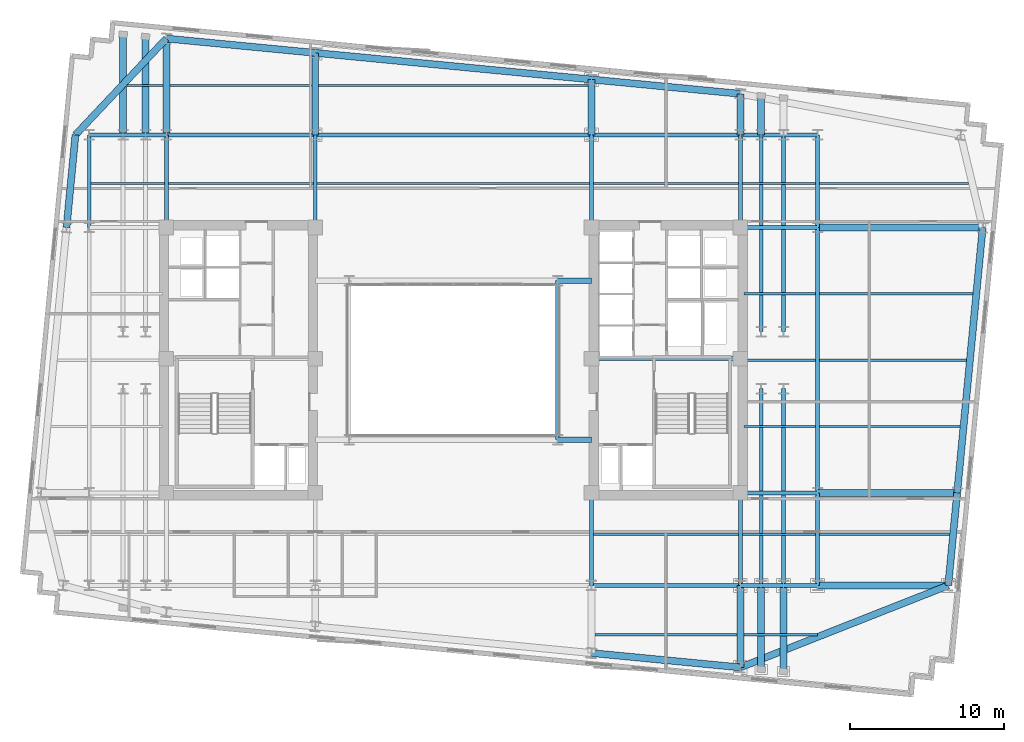
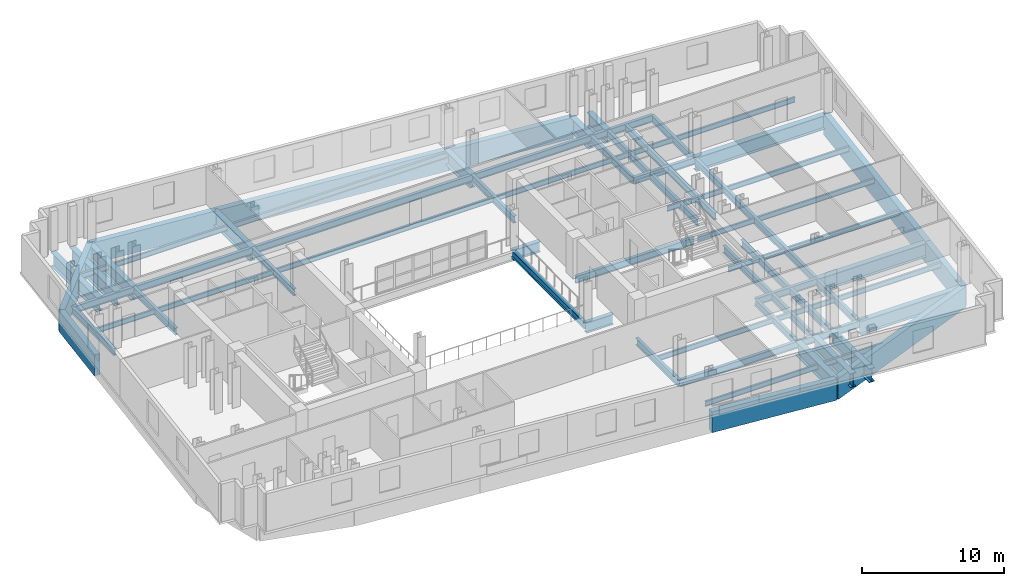
# One storey, part 3 of 11: 69 beams.
"""IFC4 building model written with IfcOpenShell, lengths in metres."""

from ifc_helpers import new_model, si_unit, direction, frame, origin, origin_2d, place, context, subcontext, project, spatial, rectangle, i_section, extrude, material, material_profile, profile_set, type_object, element, save


model = new_model("IFC4")

# Units and contexts
model_context = context("Model", 3, precision=1e-05, world=origin(), true_north=direction((0.0, 1.0)))
body_context = subcontext(model_context, "Body", "Model", "MODEL_VIEW")
ifc_project = project(units=[si_unit("LENGTHUNIT", "METRE"), si_unit("AREAUNIT", "SQUARE_METRE"), si_unit("VOLUMEUNIT", "CUBIC_METRE"), si_unit("PLANEANGLEUNIT", "RADIAN"), si_unit("MASSUNIT", "GRAM", prefix="KILO")], contexts=[model_context])

# Site, building, storey
site_placement = place(None, origin())
site = spatial("IfcSite", under=ifc_project, at=site_placement, CompositionType="ELEMENT")
building_placement = place(site_placement, origin())
building = spatial("IfcBuilding", under=site, at=building_placement, Name="Velakula Bourse", CompositionType="ELEMENT")
storey_placement = place(building_placement, frame((0.0, 0.0, 160.39990234375)))
storey = spatial("IfcBuildingStorey", under=building, at=storey_placement, Name="L43", CompositionType="ELEMENT", Elevation=160.39990234375)

# Beams
ifc_material_1 = material(Name="Steel IS 2062 Grade 350 (E350)", Category="steel")
ifc_material_profile_1 = material_profile(ifc_material_1, i_section(OverallWidth=0.25, OverallDepth=0.60009765625, WebThickness=0.01123046875, FlangeThickness=0.021240234375, at=origin_2d()), Name="Steel IS 2062 Grade 350 (E350)")
ifc_profile_set_1 = profile_set([ifc_material_profile_1], Name="Steel IS 2062 Grade 350 (E350)")
beam_type_1 = type_object("IfcBeamType", Name="BM-GRD-600M", PredefinedType="BEAM", material=ifc_profile_set_1)
beam_1_placement = place(storey_placement, frame((8.949951171875, 0.10009765625, -0.47998046875), z_axis=(1.0, 0.0, 0.0), x_axis=(0.0, 1.0, 0.0)))
element("IfcBeam", 1, at=beam_1_placement, inside=storey, type_object=beam_type_1, Name="L43 Primary Backbone Girder CRE-M", PredefinedType="BEAM", context=body_context, shape_type="SweptSolid", body=[
    extrude(i_section(OverallWidth=0.25, OverallDepth=0.60009765625, WebThickness=0.01123046875, FlangeThickness=0.021240234375, at=origin_2d()), origin(), (0.0, 0.0, 1.0), 9.650146484375),
])
beam_2_placement = place(storey_placement, frame((6.75, -5.14990234375, -0.47998046875), z_axis=(0.0, 1.0, 0.0), x_axis=(-1.0, 0.0, 0.0)))
element("IfcBeam", 2, at=beam_2_placement, inside=storey, type_object=beam_type_1, Name="L43 Primary Backbone Girder SPN-E", PredefinedType="BEAM", context=body_context, shape_type="SweptSolid", body=[
    extrude(i_section(OverallWidth=0.25, OverallDepth=0.60009765625, WebThickness=0.01123046875, FlangeThickness=0.021240234375, at=origin_2d()), origin(), (0.0, 0.0, 1.0), 10.2998046875),
])
for number, where, z_axis, x_axis, name in (
    (3, (-18.60009765625, 8.60009765625, -0.47998046875), (0.0, 1.0, 0.0), (-1.0, 0.0, 0.0), "L43 Fulcrum Grid Girder FLC-WN"),
    (4, (-8.949951171875, 8.60009765625, -0.47998046875), (0.0, 1.0, 0.0), (-1.0, 0.0, 0.0), "L43 Fulcrum Grid Girder FLC-WCN"),
    (5, (8.949951171875, -14.60009765625, -0.47998046875), (0.0, 1.0, 0.0), (-1.0, 0.0, 0.0), "L43 Fulcrum Grid Girder FLC-ECS"),
    (6, (8.949951171875, 8.60009765625, -0.47998046875), (0.0, 1.0, 0.0), (-1.0, 0.0, 0.0), "L43 Fulcrum Grid Girder FLC-ECN"),
    (7, (18.60009765625, -14.60009765625, -0.47998046875), (0.0, 1.0, 0.0), (-1.0, 0.0, 0.0), "L43 Fulcrum Grid Girder FLC-ES"),
    (8, (18.60009765625, 8.60009765625, -0.47998046875), (0.0, 1.0, 0.0), (-1.0, 0.0, 0.0), "L43 Fulcrum Grid Girder FLC-EN"),
):
    element("IfcBeam", number, at=place(storey_placement, frame(where, z_axis=z_axis, x_axis=x_axis)), inside=storey, type_object=beam_type_1, Name=name, PredefinedType="BEAM", context=body_context, shape_type="SweptSolid", body=[
        extrude(i_section(OverallWidth=0.25, OverallDepth=0.60009765625, WebThickness=0.01123046875, FlangeThickness=0.021240234375, at=origin_2d()), origin(), (0.0, 0.0, 1.0), 6.0),
    ])
for number, where, z_axis, x_axis, name in (
    (9, (8.949951171875, -14.60009765625, -0.47998046875), (1.0, 0.0, 0.0), (0.0, 1.0, 0.0), "L43 Fulcrum Grid Girder FLC-S3"),
    (10, (-18.60009765625, 14.60009765625, -0.47998046875), (1.0, 0.0, 0.0), (0.0, 1.0, 0.0), "L43 Fulcrum Grid Girder FLC-N1"),
):
    element("IfcBeam", number, at=place(storey_placement, frame(where, z_axis=z_axis, x_axis=x_axis)), inside=storey, type_object=beam_type_1, Name=name, PredefinedType="BEAM", context=body_context, shape_type="SweptSolid", body=[
        extrude(i_section(OverallWidth=0.25, OverallDepth=0.60009765625, WebThickness=0.01123046875, FlangeThickness=0.021240234375, at=origin_2d()), origin(), (0.0, 0.0, 1.0), 9.650146484375),
    ])
beam_3_placement = place(storey_placement, frame((-8.949951171875, 14.60009765625, -0.47998046875), z_axis=(1.0, 0.0, 0.0), x_axis=(0.0, 1.0, 0.0)))
element("IfcBeam", 11, at=beam_3_placement, inside=storey, type_object=beam_type_1, Name="L43 Fulcrum Grid Girder FLC-N2", PredefinedType="BEAM", context=body_context, shape_type="SweptSolid", body=[
    extrude(i_section(OverallWidth=0.25, OverallDepth=0.60009765625, WebThickness=0.01123046875, FlangeThickness=0.021240234375, at=origin_2d()), origin(), (0.0, 0.0, 1.0), 17.89990234375),
])
beam_4_placement = place(storey_placement, frame((8.949951171875, 14.60009765625, -0.47998046875), z_axis=(1.0, 0.0, 0.0), x_axis=(0.0, 1.0, 0.0)))
element("IfcBeam", 12, at=beam_4_placement, inside=storey, type_object=beam_type_1, Name="L43 Fulcrum Grid Girder FLC-N3", PredefinedType="BEAM", context=body_context, shape_type="SweptSolid", body=[
    extrude(i_section(OverallWidth=0.25, OverallDepth=0.60009765625, WebThickness=0.01123046875, FlangeThickness=0.021240234375, at=origin_2d()), origin(), (0.0, 0.0, 1.0), 9.650146484375),
])
for number, where, z_axis, x_axis, name in (
    (13, (19.949951171875, -14.60009765625, -0.47998046875), (0.0, 1.0, 0.0), (-1.0, 0.0, 0.0), "L43 Fulcrum Grid Girder FLC-PSE1"),
    (14, (19.949951171875, 1.85009765625, -0.47998046875), (0.0, 1.0, 0.0), (-1.0, 0.0, 0.0), "L43 Fulcrum Grid Girder FLC-PNE1"),
    (15, (21.39990234375, -14.60009765625, -0.47998046875), (0.0, 1.0, 0.0), (-1.0, 0.0, 0.0), "L43 Fulcrum Grid Girder FLC-PSE2"),
    (16, (21.39990234375, 1.85009765625, -0.47998046875), (0.0, 1.0, 0.0), (-1.0, 0.0, 0.0), "L43 Fulcrum Grid Girder FLC-PNE2"),
):
    element("IfcBeam", number, at=place(storey_placement, frame(where, z_axis=z_axis, x_axis=x_axis)), inside=storey, type_object=beam_type_1, Name=name, PredefinedType="BEAM", context=body_context, shape_type="SweptSolid", body=[
        extrude(i_section(OverallWidth=0.25, OverallDepth=0.60009765625, WebThickness=0.01123046875, FlangeThickness=0.021240234375, at=origin_2d()), origin(), (0.0, 0.0, 1.0), 12.75),
    ])
beam_5_placement = place(storey_placement, frame((-23.60009765625, 14.60009765625, -0.47998046875), z_axis=(1.0, 0.0, 0.0), x_axis=(0.0, 1.0, 0.0)))
element("IfcBeam", 17, at=beam_5_placement, inside=storey, type_object=beam_type_1, Name="L43 Fulcrum Grid Girder MWG-WN2", PredefinedType="BEAM", context=body_context, shape_type="SweptSolid", body=[
    extrude(i_section(OverallWidth=0.25, OverallDepth=0.60009765625, WebThickness=0.01123046875, FlangeThickness=0.021240234375, at=origin_2d()), origin(), (0.0, 0.0, 1.0), 5.0),
])
beam_6_placement = place(storey_placement, frame((-23.60009765625, 8.60009765625, -0.47998046875), z_axis=(0.0, 1.0, 0.0), x_axis=(-1.0, 0.0, 0.0)))
element("IfcBeam", 18, at=beam_6_placement, inside=storey, type_object=beam_type_1, Name="L43 Fulcrum Grid Girder MWG-WNS3", PredefinedType="BEAM", context=body_context, shape_type="SweptSolid", body=[
    extrude(i_section(OverallWidth=0.25, OverallDepth=0.60009765625, WebThickness=0.01123046875, FlangeThickness=0.021240234375, at=origin_2d()), origin(), (0.0, 0.0, 1.0), 6.0),
])
for number, where, z_axis, x_axis, name in (
    (19, (18.60009765625, -14.60009765625, -0.47998046875), (1.0, 0.0, 0.0), (0.0, 1.0, 0.0), "L43 Fulcrum Grid Girder MWG-ES1"),
    (20, (18.60009765625, -8.60009765625, -0.47998046875), (1.0, 0.0, 0.0), (0.0, 1.0, 0.0), "L43 Fulcrum Grid Girder MWG-ES2"),
    (21, (18.60009765625, 8.60009765625, -0.47998046875), (1.0, 0.0, 0.0), (0.0, 1.0, 0.0), "L43 Fulcrum Grid Girder MWG-EN1"),
    (22, (18.60009765625, 14.60009765625, -0.47998046875), (1.0, 0.0, 0.0), (0.0, 1.0, 0.0), "L43 Fulcrum Grid Girder MWG-EN2"),
):
    element("IfcBeam", number, at=place(storey_placement, frame(where, z_axis=z_axis, x_axis=x_axis)), inside=storey, type_object=beam_type_1, Name=name, PredefinedType="BEAM", context=body_context, shape_type="SweptSolid", body=[
        extrude(i_section(OverallWidth=0.25, OverallDepth=0.60009765625, WebThickness=0.01123046875, FlangeThickness=0.021240234375, at=origin_2d()), origin(), (0.0, 0.0, 1.0), 5.0),
    ])
beam_7_placement = place(storey_placement, frame((23.60009765625, -14.60009765625, -0.47998046875), z_axis=(0.0, 1.0, 0.0), x_axis=(-1.0, 0.0, 0.0)))
element("IfcBeam", 23, at=beam_7_placement, inside=storey, type_object=beam_type_1, Name="L43 Fulcrum Grid Girder MWG-ENS1", PredefinedType="BEAM", context=body_context, shape_type="SweptSolid", body=[
    extrude(i_section(OverallWidth=0.25, OverallDepth=0.60009765625, WebThickness=0.01123046875, FlangeThickness=0.021240234375, at=origin_2d()), origin(), (0.0, 0.0, 1.0), 6.0),
])
beam_8_placement = place(storey_placement, frame((23.60009765625, -8.60009765625, -0.47998046875), z_axis=(0.0, 1.0, 0.0), x_axis=(-1.0, 0.0, 0.0)))
element("IfcBeam", 24, at=beam_8_placement, inside=storey, type_object=beam_type_1, Name="L43 Fulcrum Grid Girder MWG-ENS2", PredefinedType="BEAM", context=body_context, shape_type="SweptSolid", body=[
    extrude(i_section(OverallWidth=0.25, OverallDepth=0.60009765625, WebThickness=0.01123046875, FlangeThickness=0.021240234375, at=origin_2d()), origin(), (0.0, 0.0, 1.0), 17.2001953125),
])
beam_9_placement = place(storey_placement, frame((23.60009765625, 8.60009765625, -0.47998046875), z_axis=(0.0, 1.0, 0.0), x_axis=(-1.0, 0.0, 0.0)))
element("IfcBeam", 25, at=beam_9_placement, inside=storey, type_object=beam_type_1, Name="L43 Fulcrum Grid Girder MWG-ENS3", PredefinedType="BEAM", context=body_context, shape_type="SweptSolid", body=[
    extrude(i_section(OverallWidth=0.25, OverallDepth=0.60009765625, WebThickness=0.01123046875, FlangeThickness=0.021240234375, at=origin_2d()), origin(), (0.0, 0.0, 1.0), 6.0),
])
ifc_material_profile_2 = material_profile(ifc_material_1, i_section(OverallWidth=0.35009765625, OverallDepth=0.89990234375, WebThickness=0.02001953125, FlangeThickness=0.031982421875, at=origin_2d()), Name="Steel IS 2062 Grade 350 (E350)")
ifc_profile_set_2 = profile_set([ifc_material_profile_2], Name="Steel IS 2062 Grade 350 (E350)")
beam_type_2 = type_object("IfcBeamType", Name="BM-LNK-900", PredefinedType="BEAM", material=ifc_profile_set_2)
for number, where, z_axis, x_axis, name in (
    (26, (6.75, -5.14990234375, -0.6298828125), (1.0, 0.0, 0.0), (0.0, 1.0, 0.0), "L43 Primary Backbone Girder LNK-S3"),
    (27, (6.75, 5.14990234375, -0.6298828125), (1.0, 0.0, 0.0), (0.0, 1.0, 0.0), "L43 Primary Backbone Girder LNK-N3"),
):
    element("IfcBeam", number, at=place(storey_placement, frame(where, z_axis=z_axis, x_axis=x_axis)), inside=storey, type_object=beam_type_2, Name=name, PredefinedType="BEAM", context=body_context, shape_type="SweptSolid", body=[
        extrude(i_section(OverallWidth=0.35009765625, OverallDepth=0.89990234375, WebThickness=0.02001953125, FlangeThickness=0.031982421875, at=origin_2d()), origin(), (0.0, 0.0, 1.0), 2.199951171875),
    ])
ifc_material_profile_3 = material_profile(ifc_material_1, i_section(OverallWidth=0.14990234375, OverallDepth=0.449951171875, WebThickness=0.009521484375, FlangeThickness=0.017333984375, at=origin_2d()), Name="Steel IS 2062 Grade 350 (E350)")
ifc_profile_set_3 = profile_set([ifc_material_profile_3], Name="Steel IS 2062 Grade 350 (E350)")
beam_type_3 = type_object("IfcBeamType", Name="JST-TWR-450", PredefinedType="JOIST", material=ifc_profile_set_3)
beam_10_placement = place(storey_placement, frame((9.175048828125, -17.800048828125, -0.40478515625), z_axis=(1.0, 0.0, 0.0), x_axis=(0.0, 1.0, 0.0)))
element("IfcBeam", 28, at=beam_10_placement, inside=storey, type_object=beam_type_3, Name="L43 Trading Floor Composite Joist 02", PredefinedType="JOIST", context=body_context, shape_type="SweptSolid", body=[
    extrude(i_section(OverallWidth=0.14990234375, OverallDepth=0.449951171875, WebThickness=0.009521484375, FlangeThickness=0.017333984375, at=origin_2d()), origin(), (0.0, 0.0, 1.0), 9.199951171875),
])
beam_11_placement = place(storey_placement, frame((18.824951171875, -17.800048828125, -0.40478515625), z_axis=(1.0, 0.0, 0.0), x_axis=(0.0, 1.0, 0.0)))
element("IfcBeam", 29, at=beam_11_placement, inside=storey, type_object=beam_type_3, Name="L43 Trading Floor Composite Joist 03", PredefinedType="JOIST", context=body_context, shape_type="SweptSolid", body=[
    extrude(i_section(OverallWidth=0.14990234375, OverallDepth=0.449951171875, WebThickness=0.009521484375, FlangeThickness=0.017333984375, at=origin_2d()), origin(), (0.0, 0.0, 1.0), 4.775146484375),
])
beam_12_placement = place(storey_placement, frame((9.074951171875, -11.300048828125, -0.40478515625), z_axis=(1.0, 0.0, 0.0), x_axis=(0.0, 1.0, 0.0)))
element("IfcBeam", 30, at=beam_12_placement, inside=storey, type_object=beam_type_3, Name="L43 Trading Floor Composite Joist 08", PredefinedType="JOIST", context=body_context, shape_type="SweptSolid", body=[
    extrude(i_section(OverallWidth=0.14990234375, OverallDepth=0.449951171875, WebThickness=0.009521484375, FlangeThickness=0.017333984375, at=origin_2d()), origin(), (0.0, 0.0, 1.0), 9.400146484375),
])
beam_13_placement = place(storey_placement, frame((18.72509765625, -11.300048828125, -0.40478515625), z_axis=(1.0, 0.0, 0.0), x_axis=(0.0, 1.0, 0.0)))
element("IfcBeam", 31, at=beam_13_placement, inside=storey, type_object=beam_type_3, Name="L43 Trading Floor Composite Joist 09", PredefinedType="JOIST", context=body_context, shape_type="SweptSolid", body=[
    extrude(i_section(OverallWidth=0.14990234375, OverallDepth=0.449951171875, WebThickness=0.009521484375, FlangeThickness=0.017333984375, at=origin_2d()), origin(), (0.0, 0.0, 1.0), 4.75),
])
beam_14_placement = place(storey_placement, frame((23.72509765625, -11.300048828125, -0.40478515625), z_axis=(1.0, 0.0, 0.0), x_axis=(0.0, 1.0, 0.0)))
element("IfcBeam", 32, at=beam_14_placement, inside=storey, type_object=beam_type_3, Name="L43 Trading Floor Composite Joist 10", PredefinedType="JOIST", context=body_context, shape_type="SweptSolid", body=[
    extrude(i_section(OverallWidth=0.14990234375, OverallDepth=0.449951171875, WebThickness=0.009521484375, FlangeThickness=0.017333984375, at=origin_2d()), origin(), (0.0, 0.0, 1.0), 8.437744140625),
])
beam_15_placement = place(storey_placement, frame((-23.47509765625, 11.449951171875, -0.40478515625), z_axis=(1.0, 0.0, 0.0), x_axis=(0.0, 1.0, 0.0)))
element("IfcBeam", 33, at=beam_15_placement, inside=storey, type_object=beam_type_3, Name="L43 Trading Floor Composite Joist 11", PredefinedType="JOIST", context=body_context, shape_type="SweptSolid", body=[
    extrude(i_section(OverallWidth=0.14990234375, OverallDepth=0.449951171875, WebThickness=0.009521484375, FlangeThickness=0.017333984375, at=origin_2d()), origin(), (0.0, 0.0, 1.0), 4.75),
])
beam_16_placement = place(storey_placement, frame((-18.47509765625, 11.449951171875, -0.40478515625), z_axis=(1.0, 0.0, 0.0), x_axis=(0.0, 1.0, 0.0)))
element("IfcBeam", 34, at=beam_16_placement, inside=storey, type_object=beam_type_3, Name="L43 Trading Floor Composite Joist 12", PredefinedType="JOIST", context=body_context, shape_type="SweptSolid", body=[
    extrude(i_section(OverallWidth=0.14990234375, OverallDepth=0.449951171875, WebThickness=0.009521484375, FlangeThickness=0.017333984375, at=origin_2d()), origin(), (0.0, 0.0, 1.0), 9.400146484375),
])
beam_17_placement = place(storey_placement, frame((-8.824951171875, 11.449951171875, -0.40478515625), z_axis=(1.0, 0.0, 0.0), x_axis=(0.0, 1.0, 0.0)))
element("IfcBeam", 35, at=beam_17_placement, inside=storey, type_object=beam_type_3, Name="L43 Trading Floor Composite Joist 13", PredefinedType="JOIST", context=body_context, shape_type="SweptSolid", body=[
    extrude(i_section(OverallWidth=0.14990234375, OverallDepth=0.449951171875, WebThickness=0.009521484375, FlangeThickness=0.017333984375, at=origin_2d()), origin(), (0.0, 0.0, 1.0), 17.64990234375),
])
beam_18_placement = place(storey_placement, frame((9.074951171875, 11.449951171875, -0.40478515625), z_axis=(1.0, 0.0, 0.0), x_axis=(0.0, 1.0, 0.0)))
element("IfcBeam", 36, at=beam_18_placement, inside=storey, type_object=beam_type_3, Name="L43 Trading Floor Composite Joist 14", PredefinedType="JOIST", context=body_context, shape_type="SweptSolid", body=[
    extrude(i_section(OverallWidth=0.14990234375, OverallDepth=0.449951171875, WebThickness=0.009521484375, FlangeThickness=0.017333984375, at=origin_2d()), origin(), (0.0, 0.0, 1.0), 9.400146484375),
])
beam_19_placement = place(storey_placement, frame((18.72509765625, 11.449951171875, -0.40478515625), z_axis=(1.0, 0.0, 0.0), x_axis=(0.0, 1.0, 0.0)))
element("IfcBeam", 37, at=beam_19_placement, inside=storey, type_object=beam_type_3, Name="L43 Trading Floor Composite Joist 15", PredefinedType="JOIST", context=body_context, shape_type="SweptSolid", body=[
    extrude(i_section(OverallWidth=0.14990234375, OverallDepth=0.449951171875, WebThickness=0.009521484375, FlangeThickness=0.017333984375, at=origin_2d()), origin(), (0.0, 0.0, 1.0), 4.75),
])
beam_20_placement = place(storey_placement, frame((23.72509765625, 11.449951171875, -0.40478515625), z_axis=(1.0, 0.0, 0.0), x_axis=(0.0, 1.0, 0.0)))
element("IfcBeam", 38, at=beam_20_placement, inside=storey, type_object=beam_type_3, Name="L43 Trading Floor Composite Joist 16", PredefinedType="JOIST", context=body_context, shape_type="SweptSolid", body=[
    extrude(i_section(OverallWidth=0.14990234375, OverallDepth=0.449951171875, WebThickness=0.009521484375, FlangeThickness=0.017333984375, at=origin_2d()), origin(), (0.0, 0.0, 1.0), 9.668701171875),
])
beam_21_placement = place(storey_placement, frame((-21.16162109375, 17.800048828125, -0.40478515625), z_axis=(1.0, 0.0, 0.0), x_axis=(0.0, 1.0, 0.0)))
element("IfcBeam", 39, at=beam_21_placement, inside=storey, type_object=beam_type_3, Name="L43 Trading Floor Composite Joist 17", PredefinedType="JOIST", context=body_context, shape_type="SweptSolid", body=[
    extrude(i_section(OverallWidth=0.14990234375, OverallDepth=0.449951171875, WebThickness=0.009521484375, FlangeThickness=0.017333984375, at=origin_2d()), origin(), (0.0, 0.0, 1.0), 2.336669921875),
])
beam_22_placement = place(storey_placement, frame((-18.375, 17.800048828125, -0.40478515625), z_axis=(1.0, 0.0, 0.0), x_axis=(0.0, 1.0, 0.0)))
element("IfcBeam", 40, at=beam_22_placement, inside=storey, type_object=beam_type_3, Name="L43 Trading Floor Composite Joist 18", PredefinedType="JOIST", context=body_context, shape_type="SweptSolid", body=[
    extrude(i_section(OverallWidth=0.14990234375, OverallDepth=0.449951171875, WebThickness=0.009521484375, FlangeThickness=0.017333984375, at=origin_2d()), origin(), (0.0, 0.0, 1.0), 9.199951171875),
])
beam_23_placement = place(storey_placement, frame((-8.72509765625, 17.800048828125, -0.40478515625), z_axis=(1.0, 0.0, 0.0), x_axis=(0.0, 1.0, 0.0)))
element("IfcBeam", 41, at=beam_23_placement, inside=storey, type_object=beam_type_3, Name="L43 Trading Floor Composite Joist 19", PredefinedType="JOIST", context=body_context, shape_type="SweptSolid", body=[
    extrude(i_section(OverallWidth=0.14990234375, OverallDepth=0.449951171875, WebThickness=0.009521484375, FlangeThickness=0.017333984375, at=origin_2d()), origin(), (0.0, 0.0, 1.0), 17.4501953125),
])
beam_24_placement = place(storey_placement, frame((18.85009765625, -4.300048828125, -0.40478515625), z_axis=(1.0, 0.0, 0.0), x_axis=(0.0, 1.0, 0.0)))
element("IfcBeam", 42, at=beam_24_placement, inside=storey, type_object=beam_type_3, Name="L43 Trading Floor Composite Joist 23", PredefinedType="JOIST", context=body_context, shape_type="SweptSolid", body=[
    extrude(i_section(OverallWidth=0.14990234375, OverallDepth=0.449951171875, WebThickness=0.009521484375, FlangeThickness=0.017333984375, at=origin_2d()), origin(), (0.0, 0.0, 1.0), 4.625),
])
beam_25_placement = place(storey_placement, frame((23.72509765625, -4.300048828125, -0.40478515625), z_axis=(1.0, 0.0, 0.0), x_axis=(0.0, 1.0, 0.0)))
element("IfcBeam", 43, at=beam_25_placement, inside=storey, type_object=beam_type_3, Name="L43 Trading Floor Composite Joist 24", PredefinedType="JOIST", context=body_context, shape_type="SweptSolid", body=[
    extrude(i_section(OverallWidth=0.14990234375, OverallDepth=0.449951171875, WebThickness=0.009521484375, FlangeThickness=0.017333984375, at=origin_2d()), origin(), (0.0, 0.0, 1.0), 9.11181640625),
])
beam_26_placement = place(storey_placement, frame((18.85009765625, 0.0, -0.40478515625), z_axis=(1.0, 0.0, 0.0), x_axis=(0.0, 1.0, 0.0)))
element("IfcBeam", 44, at=beam_26_placement, inside=storey, type_object=beam_type_3, Name="L43 Trading Floor Composite Joist 27", PredefinedType="JOIST", context=body_context, shape_type="SweptSolid", body=[
    extrude(i_section(OverallWidth=0.14990234375, OverallDepth=0.449951171875, WebThickness=0.009521484375, FlangeThickness=0.017333984375, at=origin_2d()), origin(), (0.0, 0.0, 1.0), 4.625),
])
beam_27_placement = place(storey_placement, frame((23.72509765625, 0.0, -0.40478515625), z_axis=(1.0, 0.0, 0.0), x_axis=(0.0, 1.0, 0.0)))
element("IfcBeam", 45, at=beam_27_placement, inside=storey, type_object=beam_type_3, Name="L43 Trading Floor Composite Joist 28", PredefinedType="JOIST", context=body_context, shape_type="SweptSolid", body=[
    extrude(i_section(OverallWidth=0.14990234375, OverallDepth=0.449951171875, WebThickness=0.009521484375, FlangeThickness=0.017333984375, at=origin_2d()), origin(), (0.0, 0.0, 1.0), 9.52587890625),
])
beam_28_placement = place(storey_placement, frame((18.85009765625, 4.300048828125, -0.40478515625), z_axis=(1.0, 0.0, 0.0), x_axis=(0.0, 1.0, 0.0)))
element("IfcBeam", 46, at=beam_28_placement, inside=storey, type_object=beam_type_3, Name="L43 Trading Floor Composite Joist 30", PredefinedType="JOIST", context=body_context, shape_type="SweptSolid", body=[
    extrude(i_section(OverallWidth=0.14990234375, OverallDepth=0.449951171875, WebThickness=0.009521484375, FlangeThickness=0.017333984375, at=origin_2d()), origin(), (0.0, 0.0, 1.0), 4.625),
])
beam_29_placement = place(storey_placement, frame((23.72509765625, 4.300048828125, -0.40478515625), z_axis=(1.0, 0.0, 0.0), x_axis=(0.0, 1.0, 0.0)))
element("IfcBeam", 47, at=beam_29_placement, inside=storey, type_object=beam_type_3, Name="L43 Trading Floor Composite Joist 31", PredefinedType="JOIST", context=body_context, shape_type="SweptSolid", body=[
    extrude(i_section(OverallWidth=0.14990234375, OverallDepth=0.449951171875, WebThickness=0.009521484375, FlangeThickness=0.017333984375, at=origin_2d()), origin(), (0.0, 0.0, 1.0), 9.93994140625),
])
ifc_material_2 = material(Name="Concrete M50 (fck 50 MPa)", Category="concrete")
ifc_material_profile_4 = material_profile(ifc_material_2, rectangle(XDim=0.449951171875, YDim=1.800048828125, at=origin_2d()), Name="Concrete M50 (fck 50 MPa)")
ifc_profile_set_4 = profile_set([ifc_material_profile_4], Name="Concrete M50 (fck 50 MPa)")
beam_type_4 = type_object("IfcBeamType", Name="SPN-TRF-1800", PredefinedType="SPANDREL", material=ifc_profile_set_4)
for number, where, z_axis, x_axis, name in (
    (48, (8.949951171875, -18.9814453125, -1.079833984375), (0.99539623971, -0.095845323155, 0.0), (0.095845323155, 0.99539623971, 0.0), "L43 Brick-Faced Precast Spandrel S3-S4"),
    (49, (-18.60009765625, 20.84228515625, -1.079833984375), (0.99539623971, -0.095845323155, 0.0), (0.095845323155, 0.99539623971, 0.0), "L43 Brick-Faced Precast Spandrel N1-N2"),
):
    element("IfcBeam", number, at=place(storey_placement, frame(where, z_axis=z_axis, x_axis=x_axis)), inside=storey, type_object=beam_type_4, Name=name, PredefinedType="SPANDREL", context=body_context, shape_type="SweptSolid", body=[
        extrude(rectangle(XDim=0.449951171875, YDim=1.800048828125, at=origin_2d()), origin(), (0.0, 0.0, 1.0), 9.69482421875),
    ])
beam_30_placement = place(storey_placement, frame((-8.949951171875, 19.9130859375, -1.079833984375), z_axis=(0.995397131467, -0.095836061418, 0.0), x_axis=(0.095836061418, 0.995397131467, 0.0)))
element("IfcBeam", 50, at=beam_30_placement, inside=storey, type_object=beam_type_4, Name="L43 Brick-Faced Precast Spandrel N2-N3", PredefinedType="SPANDREL", context=body_context, shape_type="SweptSolid", body=[
    extrude(rectangle(XDim=0.449951171875, YDim=1.800048828125, at=origin_2d()), origin(), (0.0, 0.0, 1.0), 17.982666015625),
])
beam_31_placement = place(storey_placement, frame((8.949951171875, 18.189697265625, -1.079833984375), z_axis=(0.99539623971, -0.095845323155, 0.0), x_axis=(0.095845323155, 0.99539623971, 0.0)))
element("IfcBeam", 51, at=beam_31_placement, inside=storey, type_object=beam_type_4, Name="L43 Brick-Faced Precast Spandrel N3-N4", PredefinedType="SPANDREL", context=body_context, shape_type="SweptSolid", body=[
    extrude(rectangle(XDim=0.449951171875, YDim=1.800048828125, at=origin_2d()), origin(), (0.0, 0.0, 1.0), 9.69482421875),
])
for number, where, z_axis, x_axis, name in (
    (52, (-25.068115234375, 8.60009765625, -1.079833984375), (0.095829714309, 0.995397742541, 0.0), (-0.995397742541, 0.095829714309, 0.0), "L43 Brick-Faced Precast Spandrel W3-W4"),
    (53, (32.0712890625, -14.60009765625, -1.079833984375), (0.095829714309, 0.995397742541, 0.0), (-0.995397742541, 0.095829714309, 0.0), "L43 Brick-Faced Precast Spandrel E1-E2"),
):
    element("IfcBeam", number, at=place(storey_placement, frame(where, z_axis=z_axis, x_axis=x_axis)), inside=storey, type_object=beam_type_4, Name=name, PredefinedType="SPANDREL", context=body_context, shape_type="SweptSolid", body=[
        extrude(rectangle(XDim=0.449951171875, YDim=1.800048828125, at=origin_2d()), origin(), (0.0, 0.0, 1.0), 6.02783203125),
    ])
beam_32_placement = place(storey_placement, frame((32.64892578125, -8.60009765625, -1.079833984375), z_axis=(0.095849167925, 0.995395869495, 0.0), x_axis=(-0.995395869495, 0.095849167925, 0.0)))
element("IfcBeam", 54, at=beam_32_placement, inside=storey, type_object=beam_type_4, Name="L43 Brick-Faced Precast Spandrel E2-E3", PredefinedType="SPANDREL", context=body_context, shape_type="SweptSolid", body=[
    extrude(rectangle(XDim=0.449951171875, YDim=1.800048828125, at=origin_2d()), origin(), (0.0, 0.0, 1.0), 17.27978515625),
])
beam_33_placement = place(storey_placement, frame((18.60009765625, -19.91064453125, -1.079833984375), z_axis=(0.930320901537, 0.366746533949, 0.0), x_axis=(-0.366746533949, 0.930320901537, 0.0)))
element("IfcBeam", 55, at=beam_33_placement, inside=storey, type_object=beam_type_4, Name="L43 Brick-Faced Precast Spandrel S4-E1", PredefinedType="SPANDREL", context=body_context, shape_type="SweptSolid", body=[
    extrude(rectangle(XDim=0.449951171875, YDim=1.800048828125, at=origin_2d()), origin(), (0.0, 0.0, 1.0), 14.480224609375),
])
beam_34_placement = place(storey_placement, frame((-18.60009765625, 20.84228515625, -1.079833984375), z_axis=(-0.686314417505, -0.727304970645, 0.0), x_axis=(0.727304970645, -0.686314417505, 0.0)))
element("IfcBeam", 56, at=beam_34_placement, inside=storey, type_object=beam_type_4, Name="L43 Brick-Faced Precast Spandrel N1-W4", PredefinedType="SPANDREL", context=body_context, shape_type="SweptSolid", body=[
    extrude(rectangle(XDim=0.449951171875, YDim=1.800048828125, at=origin_2d()), origin(), (0.0, 0.0, 1.0), 8.58251953125),
])
ifc_material_3 = material(Name="Steel IS 2062 Grade 450 (E450)", Category="steel")
ifc_material_profile_5 = material_profile(ifc_material_3, i_section(OverallWidth=0.449951171875, OverallDepth=1.199951171875, WebThickness=0.02587890625, FlangeThickness=0.0400390625, at=origin_2d()), Name="Steel IS 2062 Grade 450 (E450)")
ifc_profile_set_5 = profile_set([ifc_material_profile_5], Name="Steel IS 2062 Grade 450 (E450)")
beam_type_5 = type_object("IfcBeamType", Name="TB-CANT-1200", PredefinedType="BEAM", material=ifc_profile_set_5)
beam_35_placement = place(storey_placement, frame((18.60009765625, -14.60009765625, -0.77978515625), z_axis=(0.0, -1.0, 0.0), x_axis=(1.0, 0.0, 0.0)))
element("IfcBeam", 57, at=beam_35_placement, inside=storey, type_object=beam_type_5, Name="L43 Perimeter Tie Girder S4", PredefinedType="BEAM", context=body_context, shape_type="SweptSolid", body=[
    extrude(i_section(OverallWidth=0.449951171875, OverallDepth=1.199951171875, WebThickness=0.02587890625, FlangeThickness=0.0400390625, at=origin_2d()), origin(), (0.0, 0.0, 1.0), 5.310546875),
])
beam_36_placement = place(storey_placement, frame((-18.60009765625, 14.60009765625, -0.77978515625), z_axis=(0.0, 1.0, 0.0), x_axis=(-1.0, 0.0, 0.0)))
element("IfcBeam", 58, at=beam_36_placement, inside=storey, type_object=beam_type_5, Name="L43 Perimeter Tie Girder N1", PredefinedType="BEAM", context=body_context, shape_type="SweptSolid", body=[
    extrude(i_section(OverallWidth=0.449951171875, OverallDepth=1.199951171875, WebThickness=0.02587890625, FlangeThickness=0.0400390625, at=origin_2d()), origin(), (0.0, 0.0, 1.0), 6.2421875),
])
beam_37_placement = place(storey_placement, frame((-8.949951171875, 14.60009765625, -0.77978515625), z_axis=(0.0, 1.0, 0.0), x_axis=(-1.0, 0.0, 0.0)))
element("IfcBeam", 59, at=beam_37_placement, inside=storey, type_object=beam_type_5, Name="L43 Perimeter Tie Girder N2", PredefinedType="BEAM", context=body_context, shape_type="SweptSolid", body=[
    extrude(i_section(OverallWidth=0.449951171875, OverallDepth=1.199951171875, WebThickness=0.02587890625, FlangeThickness=0.0400390625, at=origin_2d()), origin(), (0.0, 0.0, 1.0), 5.31298828125),
])
beam_38_placement = place(storey_placement, frame((8.949951171875, 14.60009765625, -0.77978515625), z_axis=(0.0, 1.0, 0.0), x_axis=(-1.0, 0.0, 0.0)))
element("IfcBeam", 60, at=beam_38_placement, inside=storey, type_object=beam_type_5, Name="L43 Perimeter Tie Girder N3", PredefinedType="BEAM", context=body_context, shape_type="SweptSolid", body=[
    extrude(i_section(OverallWidth=0.449951171875, OverallDepth=1.199951171875, WebThickness=0.02587890625, FlangeThickness=0.0400390625, at=origin_2d()), origin(), (0.0, 0.0, 1.0), 3.589599609375),
])
beam_39_placement = place(storey_placement, frame((18.60009765625, 14.60009765625, -0.77978515625), z_axis=(0.0, 1.0, 0.0), x_axis=(-1.0, 0.0, 0.0)))
element("IfcBeam", 61, at=beam_39_placement, inside=storey, type_object=beam_type_5, Name="L43 Perimeter Tie Girder N4", PredefinedType="BEAM", context=body_context, shape_type="SweptSolid", body=[
    extrude(i_section(OverallWidth=0.449951171875, OverallDepth=1.199951171875, WebThickness=0.02587890625, FlangeThickness=0.0400390625, at=origin_2d()), origin(), (0.0, 0.0, 1.0), 2.660400390625),
])
beam_40_placement = place(storey_placement, frame((23.60009765625, -14.60009765625, -0.77978515625), z_axis=(1.0, 0.0, 0.0), x_axis=(0.0, 1.0, 0.0)))
element("IfcBeam", 62, at=beam_40_placement, inside=storey, type_object=beam_type_5, Name="L43 Perimeter Tie Girder E1", PredefinedType="BEAM", context=body_context, shape_type="SweptSolid", body=[
    extrude(i_section(OverallWidth=0.449951171875, OverallDepth=1.199951171875, WebThickness=0.02587890625, FlangeThickness=0.0400390625, at=origin_2d()), origin(), (0.0, 0.0, 1.0), 8.47119140625),
])
beam_41_placement = place(storey_placement, frame((23.60009765625, -8.60009765625, -0.77978515625), z_axis=(1.0, 0.0, 0.0), x_axis=(0.0, 1.0, 0.0)))
element("IfcBeam", 63, at=beam_41_placement, inside=storey, type_object=beam_type_5, Name="L43 Perimeter Tie Girder E2", PredefinedType="BEAM", context=body_context, shape_type="SweptSolid", body=[
    extrude(i_section(OverallWidth=0.449951171875, OverallDepth=1.199951171875, WebThickness=0.02587890625, FlangeThickness=0.0400390625, at=origin_2d()), origin(), (0.0, 0.0, 1.0), 9.048828125),
])
beam_42_placement = place(storey_placement, frame((23.60009765625, 8.60009765625, -0.77978515625), z_axis=(1.0, 0.0, 0.0), x_axis=(0.0, 1.0, 0.0)))
element("IfcBeam", 64, at=beam_42_placement, inside=storey, type_object=beam_type_5, Name="L43 Perimeter Tie Girder E3", PredefinedType="BEAM", context=body_context, shape_type="SweptSolid", body=[
    extrude(i_section(OverallWidth=0.449951171875, OverallDepth=1.199951171875, WebThickness=0.02587890625, FlangeThickness=0.0400390625, at=origin_2d()), origin(), (0.0, 0.0, 1.0), 10.705078125),
])
beam_43_placement = place(storey_placement, frame((19.949951171875, -14.60009765625, -0.77978515625), z_axis=(0.0, -1.0, 0.0), x_axis=(1.0, 0.0, 0.0)))
element("IfcBeam", 65, at=beam_43_placement, inside=storey, type_object=beam_type_5, Name="L43 Perimeter Tie Girder P03", PredefinedType="BEAM", context=body_context, shape_type="SweptSolid", body=[
    extrude(i_section(OverallWidth=0.449951171875, OverallDepth=1.199951171875, WebThickness=0.02587890625, FlangeThickness=0.0400390625, at=origin_2d()), origin(), (0.0, 0.0, 1.0), 5.4404296875),
])
beam_44_placement = place(storey_placement, frame((21.39990234375, -14.60009765625, -0.77978515625), z_axis=(0.0, -1.0, 0.0), x_axis=(1.0, 0.0, 0.0)))
element("IfcBeam", 66, at=beam_44_placement, inside=storey, type_object=beam_type_5, Name="L43 Perimeter Tie Girder P04", PredefinedType="BEAM", context=body_context, shape_type="SweptSolid", body=[
    extrude(i_section(OverallWidth=0.449951171875, OverallDepth=1.199951171875, WebThickness=0.02587890625, FlangeThickness=0.0400390625, at=origin_2d()), origin(), (0.0, 0.0, 1.0), 5.580322265625),
])
beam_45_placement = place(storey_placement, frame((-21.39990234375, 14.60009765625, -0.77978515625), z_axis=(0.0, 1.0, 0.0), x_axis=(-1.0, 0.0, 0.0)))
element("IfcBeam", 67, at=beam_45_placement, inside=storey, type_object=beam_type_5, Name="L43 Perimeter Tie Girder P05", PredefinedType="BEAM", context=body_context, shape_type="SweptSolid", body=[
    extrude(i_section(OverallWidth=0.449951171875, OverallDepth=1.199951171875, WebThickness=0.02587890625, FlangeThickness=0.0400390625, at=origin_2d()), origin(), (0.0, 0.0, 1.0), 6.511962890625),
])
beam_46_placement = place(storey_placement, frame((-19.949951171875, 14.60009765625, -0.77978515625), z_axis=(0.0, 1.0, 0.0), x_axis=(-1.0, 0.0, 0.0)))
element("IfcBeam", 68, at=beam_46_placement, inside=storey, type_object=beam_type_5, Name="L43 Perimeter Tie Girder P06", PredefinedType="BEAM", context=body_context, shape_type="SweptSolid", body=[
    extrude(i_section(OverallWidth=0.449951171875, OverallDepth=1.199951171875, WebThickness=0.02587890625, FlangeThickness=0.0400390625, at=origin_2d()), origin(), (0.0, 0.0, 1.0), 6.372314453125),
])
beam_47_placement = place(storey_placement, frame((19.949951171875, 14.60009765625, -0.77978515625), z_axis=(0.0, 1.0, 0.0), x_axis=(-1.0, 0.0, 0.0)))
element("IfcBeam", 69, at=beam_47_placement, inside=storey, type_object=beam_type_5, Name="L43 Perimeter Tie Girder P07", PredefinedType="BEAM", context=body_context, shape_type="SweptSolid", body=[
    extrude(i_section(OverallWidth=0.449951171875, OverallDepth=1.199951171875, WebThickness=0.02587890625, FlangeThickness=0.0400390625, at=origin_2d()), origin(), (0.0, 0.0, 1.0), 2.530517578125),
])

save(model, "model.ifc")
